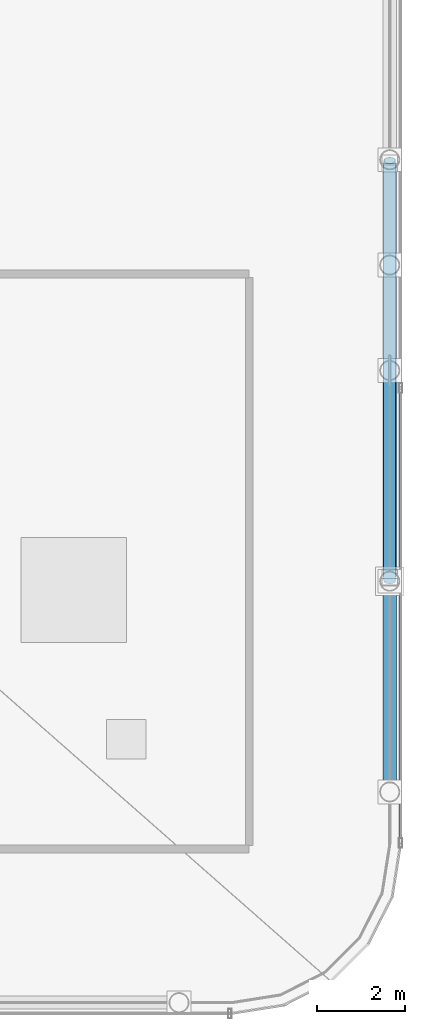
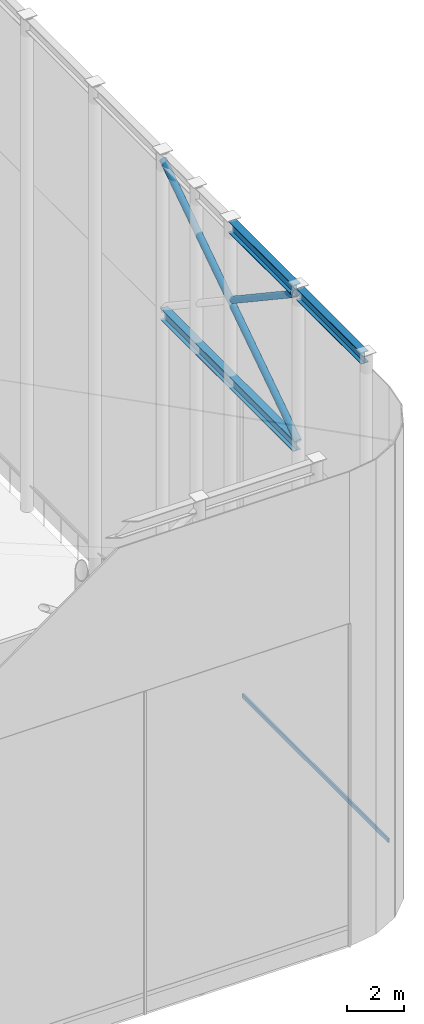
# One storey, part 19 of 42: 3 beams, 3 members, 1 element without a shape of its own.
"""IFC4 building model written with IfcOpenShell, lengths in metres."""

from ifc_helpers import new_model, si_unit, direction, frame, origin, origin_2d, place, context, subcontext, project, spatial, hollow_rectangle, hollow_circle, i_section, extrude, material, layer, layer_set, material_profile, profile_set, type_object, element, aggregate, save


model = new_model("IFC4")

# Units and contexts
model_context = context("Model", 3, precision=1e-05, world=origin(), true_north=direction((0.0, 1.0)))
body_context = subcontext(model_context, "Body", "Model", "MODEL_VIEW")
ifc_project = project(units=[si_unit("LENGTHUNIT", "METRE"), si_unit("AREAUNIT", "SQUARE_METRE"), si_unit("VOLUMEUNIT", "CUBIC_METRE"), si_unit("PLANEANGLEUNIT", "RADIAN"), si_unit("MASSUNIT", "GRAM", prefix="KILO")], contexts=[model_context])

# Site, building, storey
site_placement = place(None, origin())
site = spatial("IfcSite", under=ifc_project, at=site_placement, CompositionType="ELEMENT")
building_placement = place(site_placement, origin())
building = spatial("IfcBuilding", under=site, at=building_placement, Name="Kallvorn Hotel Tower", CompositionType="ELEMENT")
storey_placement = place(building_placement, frame((0.0, 0.0, 306.0)))
storey = spatial("IfcBuildingStorey", under=building, at=storey_placement, Name="ROOF", CompositionType="ELEMENT", Elevation=306.0)

# Beams
ifc_material_1 = material(Name="Structural steel S355JR", Category="steel")
ifc_material_profile_1 = material_profile(ifc_material_1, i_section(OverallWidth=0.300048828125, OverallDepth=0.5, WebThickness=0.014404296875, FlangeThickness=0.028076171875, at=origin_2d()), Name="HE 500 B")
ifc_profile_set_1 = profile_set([ifc_material_profile_1], Name="Structural steel S355JR")
beam_type = type_object("IfcBeamType", Name="BM_HE500B", PredefinedType="SPANDREL", material=ifc_profile_set_1)
for number, where, z_axis, x_axis, name in (
    (1, (24.0, -19.10009765625, 21.030029296875), (0.0, 1.0, 0.0), (-1.0, 0.0, 0.0), "CROWN FRAME Top Ring Beam 25"),
    (2, (24.0, -14.300048828125, 21.030029296875), (0.0, 1.0, 0.0), (-1.0, 0.0, 0.0), "CROWN FRAME Top Ring Beam 26"),
):
    element("IfcBeam", number, at=place(storey_placement, frame(where, z_axis=z_axis, x_axis=x_axis)), inside=storey, type_object=beam_type, Name=name, PredefinedType="SPANDREL", context=body_context, shape_type="SweptSolid", body=[
        extrude(i_section(OverallWidth=0.300048828125, OverallDepth=0.5, WebThickness=0.014404296875, FlangeThickness=0.028076171875, at=origin_2d()), origin(), (0.0, 0.0, 1.0), 4.60009765625),
    ])
beam_placement = place(storey_placement, frame((24.0, -14.300048828125, 14.35009765625), z_axis=(0.0, 1.0, 0.0), x_axis=(-1.0, 0.0, 0.0)))
element("IfcBeam", 3, at=beam_placement, inside=storey, type_object=beam_type, Name="CROWN FRAME Louvre Sill Tie Beam CE1", PredefinedType="SPANDREL", context=body_context, shape_type="SweptSolid", body=[
    extrude(i_section(OverallWidth=0.300048828125, OverallDepth=0.5, WebThickness=0.014404296875, FlangeThickness=0.028076171875, at=origin_2d()), origin(), (0.0, 0.0, 1.0), 9.400146484375),
])

# Curtain wall, member
ifc_material_2 = material(Name="Thermally broken black-anodised aluminium AA 6063-T6", Category="aluminium")
ifc_layer = layer(ifc_material_2, 0.18994140625)
ifc_layer_set = layer_set([ifc_layer], Name="CW_SYS_7_CROWN_DRUM")
curtain_wall_type = type_object("IfcCurtainWallType", Name="CW_SYS_7_CROWN_DRUM", PredefinedType="USERDEFINED", material=ifc_layer_set)
curtain_wall_placement = place(storey_placement, origin())
curtain_wall = element("IfcCurtainWall", 4, at=curtain_wall_placement, inside=storey, type_object=curtain_wall_type, Name="ROOF Dark-Glass Curtain Wall CW-ROOF-E1", ObjectType="UNITISED CURTAIN WALL", PredefinedType="USERDEFINED")
ifc_material_3 = material(Name="Thermally broken black-anodised aluminium AA 6063-T6", Category="aluminium")
ifc_material_profile_2 = material_profile(ifc_material_3, hollow_rectangle(XDim=0.070068359375, YDim=0.179931640625, WallThickness=0.00390625, at=origin_2d()), Name="TRN 180x70")
ifc_profile_set_2 = profile_set([ifc_material_profile_2], Name="Thermally broken black-anodised aluminium AA 6063-T6")
member_type_1 = type_object("IfcMemberType", Name="CW_TRANSOM_180x70", PredefinedType="USERDEFINED", material=ifc_profile_set_2)
member_1_placement = place(storey_placement, frame((24.25, -20.360107421875, 0.85009765625), z_axis=(0.0, 1.0, 0.0), x_axis=(-1.0, 0.0, 0.0)))
member_1 = element("IfcMember", 5, at=member_1_placement, type_object=member_type_1, Name="CW-ROOF-E1 Transom 00M", ObjectType="TRANSOM", PredefinedType="USERDEFINED", context=body_context, shape_type="SweptSolid", body=[
    extrude(hollow_rectangle(XDim=0.070068359375, YDim=0.179931640625, WallThickness=0.00390625, at=origin_2d()), origin(), (0.0, 0.0, 1.0), 10.320068359375),
])
aggregate(curtain_wall, [member_1])

# Members
ifc_material_4 = material(Name="Structural steel S355J2H", Category="steel")
ifc_material_profile_3 = material_profile(ifc_material_4, hollow_circle(Radius=0.136474609375, WallThickness=0.010009765625, at=origin_2d()), Name="CHS 273x10")
ifc_profile_set_3 = profile_set([ifc_material_profile_3], Name="Structural steel S355J2H")
member_type_2 = type_object("IfcMemberType", Name="MBR_CROWN_CHS273", PredefinedType="BRACE", material=ifc_profile_set_3)
member_2_placement = place(storey_placement, frame((24.0, -14.38330078125, 14.56103515625), z_axis=(0.0, 0.832043760824, 0.55470999637), x_axis=(-1.0, 0.0, 0.0)))
element("IfcMember", 6, at=member_2_placement, inside=storey, type_object=member_type_2, Name="CROWN FRAME Ring X-Brace Continuous Diagonal CE1", PredefinedType="BRACE", context=body_context, shape_type="SweptSolid", body=[
    extrude(hollow_circle(Radius=0.136474609375, WallThickness=0.010009765625, at=origin_2d()), origin(), (0.0, 0.0, 1.0), 11.497802734375),
])
member_3_placement = place(storey_placement, frame((24.0, -14.216796875, 20.827880859375), z_axis=(0.0, 0.832043245446, -0.554710769417), x_axis=(-1.0, 0.0, 0.0)))
element("IfcMember", 7, at=member_3_placement, inside=storey, type_object=member_type_2, Name="CROWN FRAME Ring X-Brace Split Half-Diagonal CE1-1", PredefinedType="BRACE", context=body_context, shape_type="SweptSolid", body=[
    extrude(hollow_circle(Radius=0.136474609375, WallThickness=0.010009765625, at=origin_2d()), origin(), (0.0, 0.0, 1.0), 5.32861328125),
])

save(model, "model.ifc")
